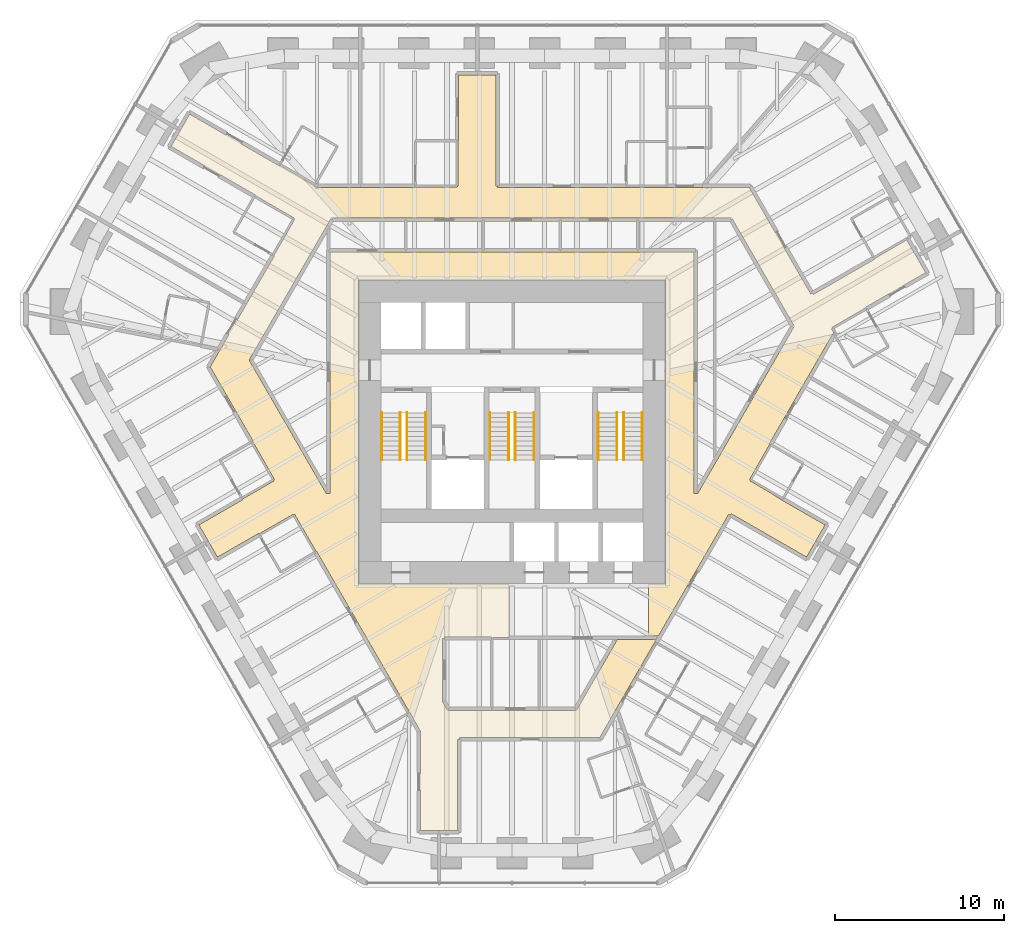
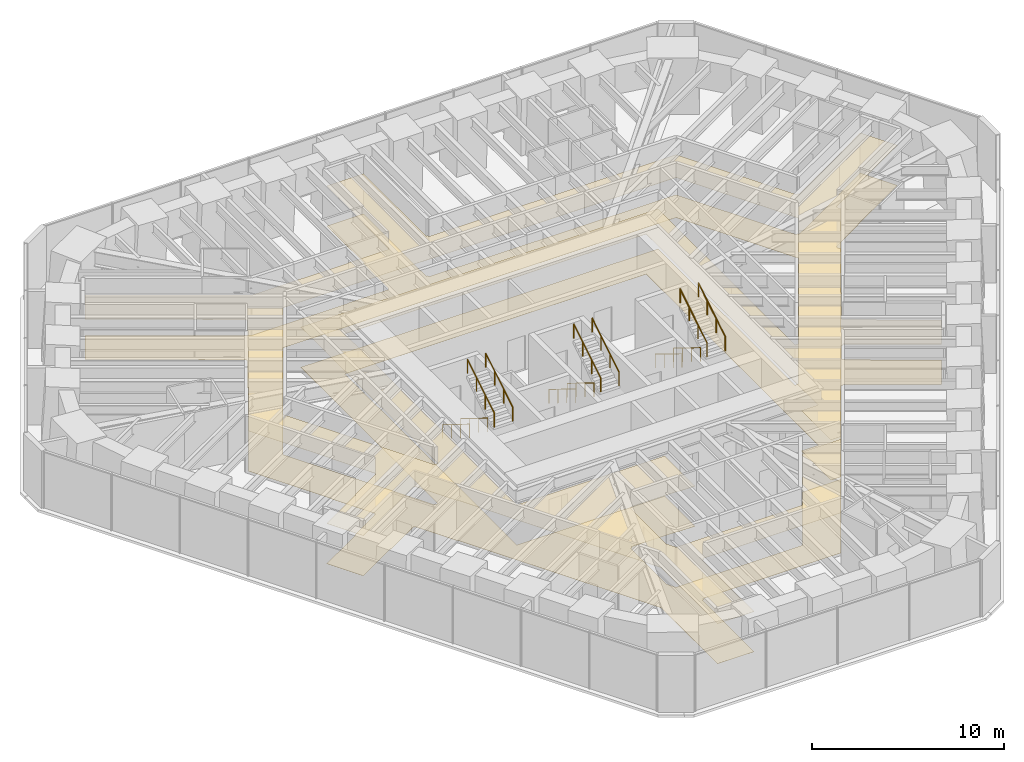
# One storey, part 18 of 18: 12 railings, 2 coverings.
"""IFC4 building model written with IfcOpenShell, lengths in metres."""

from ifc_helpers import new_model, si_unit, direction, frame, origin, origin_2d, place, context, subcontext, project, spatial, polyline, circle, outline, extrude, material, layer, layer_set, type_object, element, save


model = new_model("IFC4")

# Units and contexts
model_context = context("Model", 3, precision=1e-05, world=origin(), true_north=direction((0.0, 1.0)))
body_context = subcontext(model_context, "Body", "Model", "MODEL_VIEW")
ifc_project = project(units=[si_unit("LENGTHUNIT", "METRE"), si_unit("AREAUNIT", "SQUARE_METRE"), si_unit("VOLUMEUNIT", "CUBIC_METRE"), si_unit("PLANEANGLEUNIT", "RADIAN"), si_unit("MASSUNIT", "GRAM", prefix="KILO")], contexts=[model_context])

# Site, building, storey
site_placement = place(None, origin())
site = spatial("IfcSite", under=ifc_project, at=site_placement, CompositionType="ELEMENT")
building_placement = place(site_placement, origin())
building = spatial("IfcBuilding", under=site, at=building_placement, Name="Sandreach Pilgrim Tower", CompositionType="ELEMENT")
storey_placement = place(building_placement, frame((0.0, 0.0, 157.60009765625)))
storey = spatial("IfcBuildingStorey", under=building, at=storey_placement, Name="L39", CompositionType="ELEMENT", Elevation=157.60009765625)

# Coverings
ifc_material_1 = material(Name="Nylon carpet tile on the slab", Category="textile")
ifc_layer_1 = layer(ifc_material_1, 0.008056640625)
ifc_layer_set_1 = layer_set([ifc_layer_1], Name="Carpet tile")
covering_type_1 = type_object("IfcCoveringType", Name="Carpet tile", PredefinedType="FLOORING", material=ifc_layer_set_1)
covering_1_placement = place(storey_placement, origin())
element("IfcCovering", 1, at=covering_1_placement, inside=storey, type_object=covering_type_1, Name="Floor finish 39C Corridor 39", PredefinedType="FLOORING", context=body_context, shape_type="SweptSolid", body=[
    extrude(outline(polyline([(-17.4033203125, -8.943603515625), (-18.50341796875, -7.03662109375), (-15.899658203125, -5.537353515625), (-15.919677734375, -5.502685546875), (-14.06005859375, -4.431884765625), (-14.08935546875, -4.380859375), (-14.0380859375, -4.35009765625), (-15.326416015625, -2.09326171875), (-15.303466796875, -2.080078125), (-17.83447265625, 2.300048828125), (-14.04345703125, 8.85986328125), (-14.070068359375, 8.875244140625), (-12.84814453125, 11.010009765625), (-12.89892578125, 11.041748046875), (-12.8701171875, 11.092041015625), (-14.243408203125, 11.879150390625), (-15.169921875, 12.45654296875), (-20.143310546875, 15.32666015625), (-19.04345703125, 17.2333984375), (-11.516845703125, 12.889892578125), (-5.699951171875, 12.889892578125), (-5.699951171875, 12.918212890625), (-3.25, 12.929931640625), (-3.2490234375, 12.989990234375), (-3.18994140625, 12.989990234375), (-3.18994140625, 15.659912109375), (-3.14990234375, 15.659912109375), (-3.14990234375, 19.5400390625), (-0.949951171875, 19.5400390625), (-0.949951171875, 13.0), (-0.853515625, 13.0), (-0.85009765625, 12.889892578125), (14.022216796875, 12.889892578125), (17.6533203125, 6.60986328125), (17.75048828125, 6.662109375), (17.798583984375, 6.578369140625), (21.430908203125, 8.67138671875), (21.41796875, 8.694091796875), (23.3232421875, 9.80810546875), (24.443359375, 7.86669921875), (20.89013671875, 5.816650390625), (20.90185546875, 5.79638671875), (18.91015625, 4.632080078125), (18.9296875, 4.573974609375), (18.887939453125, 4.55029296875), (19.0087890625, 4.3388671875), (15.203369140625, -2.25), (15.23046875, -2.265625), (14.0380859375, -4.35009765625), (14.088623046875, -4.38232421875), (14.06005859375, -4.431884765625), (15.19091796875, -5.085693359375), (15.960205078125, -5.57666015625), (18.50341796875, -7.036865234375), (17.4033203125, -8.943359375), (12.952880859375, -6.380859375), (12.904541015625, -6.46484375), (12.803466796875, -6.409912109375), (8.6513671875, -13.60009765625), (8.050048828125, -13.60009765625), (8.050048828125, -10.52001953125), (9.070068359375, -10.52001953125), (9.070068359375, 7.419921875), (-9.070068359375, 7.419921875), (-9.070068359375, -10.52001953125), (-0.175048828125, -10.52001953125), (-0.175048828125, -13.68994140625), (-1.199951171875, -13.67919921875), (-1.199951171875, -13.64990234375), (-3.989990234375, -13.64990234375), (-3.989990234375, -13.75), (-4.10009765625, -13.75), (-4.10009765625, -17.487060546875), (-3.8076171875, -17.989990234375), (3.8076171875, -17.989990234375), (6.2265625, -13.800048828125), (8.535888671875, -13.800048828125), (5.192138671875, -19.590087890625), (-3.110107421875, -19.590087890625), (-3.110107421875, -19.705078125), (-3.2099609375, -19.705078125), (-3.2099609375, -25.10009765625), (-5.409912109375, -25.10009765625), (-5.409912109375, -19.223388671875), (-11.54345703125, -8.599853515625), (-11.5693359375, -8.614990234375), (-12.837890625, -6.43017578125), (-12.890625, -6.458984375), (-12.919921875, -6.407958984375), (-14.949951171875, -7.577880859375), (-14.969970703125, -7.543212890625), (-17.4033203125, -8.943603515625)]), holes=[polyline([(-15.525390625, 2.699951171875), (-10.965576171875, -5.18994140625), (-10.75, -5.18994140625), (-10.75, 9.10009765625), (10.75, 9.10009765625), (10.75, -5.18994140625), (10.96533203125, -5.18994140625), (16.675537109375, 4.699951171875), (12.98779296875, 11.090087890625), (-10.677734375, 11.090087890625), (-15.525390625, 2.699951171875)])]), origin(), (0.0, 0.0, 1.0), 0.0078125),
])
ifc_material_2 = material(Name="Gypsum board suspended ceiling on a steel grid", Category="steel")
ifc_layer_2 = layer(ifc_material_2, 0.012939453125)
ifc_layer_set_2 = layer_set([ifc_layer_2], Name="Gypsum board suspended ceiling")
covering_type_2 = type_object("IfcCoveringType", Name="Gypsum board suspended ceiling", PredefinedType="CEILING", material=ifc_layer_set_2)
covering_2_placement = place(storey_placement, frame((0.0, 0.0, 2.5498046875)))
element("IfcCovering", 2, at=covering_2_placement, inside=storey, type_object=covering_type_2, Name="Ceiling 39C Corridor 39", PredefinedType="CEILING", context=body_context, shape_type="SweptSolid", body=[
    extrude(outline(polyline([(-17.4033203125, -8.943603515625), (-18.50341796875, -7.03662109375), (-15.899658203125, -5.537353515625), (-15.919677734375, -5.502685546875), (-14.06005859375, -4.431884765625), (-14.08935546875, -4.380859375), (-14.0380859375, -4.35009765625), (-15.326416015625, -2.09326171875), (-15.303466796875, -2.080078125), (-17.83447265625, 2.300048828125), (-14.04345703125, 8.85986328125), (-14.070068359375, 8.875244140625), (-12.84814453125, 11.010009765625), (-12.89892578125, 11.041748046875), (-12.8701171875, 11.092041015625), (-14.243408203125, 11.879150390625), (-15.169921875, 12.45654296875), (-20.143310546875, 15.32666015625), (-19.04345703125, 17.2333984375), (-11.516845703125, 12.889892578125), (-5.699951171875, 12.889892578125), (-5.699951171875, 12.918212890625), (-3.25, 12.929931640625), (-3.2490234375, 12.989990234375), (-3.18994140625, 12.989990234375), (-3.18994140625, 15.659912109375), (-3.14990234375, 15.659912109375), (-3.14990234375, 19.5400390625), (-0.949951171875, 19.5400390625), (-0.949951171875, 13.0), (-0.853515625, 13.0), (-0.85009765625, 12.889892578125), (14.022216796875, 12.889892578125), (17.6533203125, 6.60986328125), (17.75048828125, 6.662109375), (17.798583984375, 6.578369140625), (21.430908203125, 8.67138671875), (21.41796875, 8.694091796875), (23.3232421875, 9.80810546875), (24.443359375, 7.86669921875), (20.89013671875, 5.816650390625), (20.90185546875, 5.79638671875), (18.91015625, 4.632080078125), (18.9296875, 4.573974609375), (18.887939453125, 4.55029296875), (19.0087890625, 4.3388671875), (15.203369140625, -2.25), (15.23046875, -2.265625), (14.0380859375, -4.35009765625), (14.088623046875, -4.38232421875), (14.06005859375, -4.431884765625), (15.19091796875, -5.085693359375), (15.960205078125, -5.57666015625), (18.50341796875, -7.036865234375), (17.4033203125, -8.943359375), (12.952880859375, -6.380859375), (12.904541015625, -6.46484375), (12.803466796875, -6.409912109375), (8.6513671875, -13.60009765625), (8.050048828125, -13.60009765625), (8.050048828125, -10.52001953125), (9.070068359375, -10.52001953125), (9.070068359375, 7.419921875), (-9.070068359375, 7.419921875), (-9.070068359375, -10.52001953125), (-0.175048828125, -10.52001953125), (-0.175048828125, -13.68994140625), (-1.199951171875, -13.67919921875), (-1.199951171875, -13.64990234375), (-3.989990234375, -13.64990234375), (-3.989990234375, -13.75), (-4.10009765625, -13.75), (-4.10009765625, -17.487060546875), (-3.8076171875, -17.989990234375), (3.8076171875, -17.989990234375), (6.2265625, -13.800048828125), (8.535888671875, -13.800048828125), (5.192138671875, -19.590087890625), (-3.110107421875, -19.590087890625), (-3.110107421875, -19.705078125), (-3.2099609375, -19.705078125), (-3.2099609375, -25.10009765625), (-5.409912109375, -25.10009765625), (-5.409912109375, -19.223388671875), (-11.54345703125, -8.599853515625), (-11.5693359375, -8.614990234375), (-12.837890625, -6.43017578125), (-12.890625, -6.458984375), (-12.919921875, -6.407958984375), (-14.949951171875, -7.577880859375), (-14.969970703125, -7.543212890625), (-17.4033203125, -8.943603515625)]), holes=[polyline([(-15.525390625, 2.699951171875), (-10.965576171875, -5.18994140625), (-10.75, -5.18994140625), (-10.75, 9.10009765625), (10.75, 9.10009765625), (10.75, -5.18994140625), (10.96533203125, -5.18994140625), (16.675537109375, 4.699951171875), (12.98779296875, 11.090087890625), (-10.677734375, 11.090087890625), (-15.525390625, 2.699951171875)])]), origin(), (0.0, 0.0, 1.0), 0.01318359375),
])

# Railings
ifc_material_3 = material(Name="Stainless steel tube", Category="steel")
railing_type = type_object("IfcRailingType", Name="Stair handrail", PredefinedType="HANDRAIL", material=ifc_material_3)
for number, where, name in (
    (3, (-6.60009765625, -0.39990234375, 0.172607421875), "Handrail ST1 L39 flight 1"),
    (4, (-7.699951171875, -0.39990234375, 0.172607421875), "Handrail ST1 L39 flight 1"),
):
    element("IfcRailing", number, at=place(storey_placement, frame(where)), inside=storey, type_object=railing_type, Name=name, PredefinedType="HANDRAIL", context=body_context, shape_type="SweptSolid", body=[
        extrude(circle(Radius=0.02392578125, at=origin_2d()), frame((0.0, 0.0, 0.8759765625), z_axis=(0.0, -0.851089632645, 0.525020415988), x_axis=(1.0, 0.0, 0.0)), (0.0, 0.0, 1.0), 3.2900390625),
        extrude(circle(Radius=0.02099609375, at=origin_2d()), origin(), (0.0, 0.0, 1.0), 0.851806640625),
        extrude(circle(Radius=0.02099609375, at=origin_2d()), frame((0.0, -0.933349609375, 0.57568359375)), (0.0, 0.0, 1.0), 0.851806640625),
        extrude(circle(Radius=0.02099609375, at=origin_2d()), frame((0.0, -1.86669921875, 1.151611328125)), (0.0, 0.0, 1.0), 0.851806640625),
        extrude(circle(Radius=0.02099609375, at=origin_2d()), frame((0.0, -2.800048828125, 1.727294921875)), (0.0, 0.0, 1.0), 0.851806640625),
    ])
for number, where, name in (
    (5, (-6.199951171875, -3.199951171875, 2.072509765625), "Handrail ST1 L39 flight 2"),
    (6, (-5.10009765625, -3.199951171875, 2.072509765625), "Handrail ST1 L39 flight 2"),
):
    element("IfcRailing", number, at=place(storey_placement, frame(where)), inside=storey, type_object=railing_type, Name=name, PredefinedType="HANDRAIL", context=body_context, shape_type="SweptSolid", body=[
        extrude(circle(Radius=0.02392578125, at=origin_2d()), frame((0.0, 0.0, 0.8759765625), z_axis=(0.0, 0.851089632645, 0.525020415988), x_axis=(-1.0, 0.0, 0.0)), (0.0, 0.0, 1.0), 3.2900390625),
        extrude(circle(Radius=0.02099609375, at=origin_2d()), origin(), (0.0, 0.0, 1.0), 0.851806640625),
        extrude(circle(Radius=0.02099609375, at=origin_2d()), frame((0.0, 0.933349609375, 0.57568359375)), (0.0, 0.0, 1.0), 0.851806640625),
        extrude(circle(Radius=0.02099609375, at=origin_2d()), frame((0.0, 1.86669921875, 1.151611328125)), (0.0, 0.0, 1.0), 0.851806640625),
        extrude(circle(Radius=0.02099609375, at=origin_2d()), frame((0.0, 2.800048828125, 1.727294921875)), (0.0, 0.0, 1.0), 0.851806640625),
    ])
for number, where, name in (
    (7, (-0.199951171875, -0.39990234375, 0.172607421875), "Handrail ST3 L39 flight 1"),
    (8, (-1.300048828125, -0.39990234375, 0.172607421875), "Handrail ST3 L39 flight 1"),
):
    element("IfcRailing", number, at=place(storey_placement, frame(where)), inside=storey, type_object=railing_type, Name=name, PredefinedType="HANDRAIL", context=body_context, shape_type="SweptSolid", body=[
        extrude(circle(Radius=0.02392578125, at=origin_2d()), frame((0.0, 0.0, 0.8759765625), z_axis=(0.0, -0.851089632645, 0.525020415988), x_axis=(1.0, 0.0, 0.0)), (0.0, 0.0, 1.0), 3.2900390625),
        extrude(circle(Radius=0.02099609375, at=origin_2d()), origin(), (0.0, 0.0, 1.0), 0.851806640625),
        extrude(circle(Radius=0.02099609375, at=origin_2d()), frame((0.0, -0.933349609375, 0.57568359375)), (0.0, 0.0, 1.0), 0.851806640625),
        extrude(circle(Radius=0.02099609375, at=origin_2d()), frame((0.0, -1.86669921875, 1.151611328125)), (0.0, 0.0, 1.0), 0.851806640625),
        extrude(circle(Radius=0.02099609375, at=origin_2d()), frame((0.0, -2.800048828125, 1.727294921875)), (0.0, 0.0, 1.0), 0.851806640625),
    ])
for number, where, name in (
    (9, (0.199951171875, -3.199951171875, 2.072509765625), "Handrail ST3 L39 flight 2"),
    (10, (1.300048828125, -3.199951171875, 2.072509765625), "Handrail ST3 L39 flight 2"),
):
    element("IfcRailing", number, at=place(storey_placement, frame(where)), inside=storey, type_object=railing_type, Name=name, PredefinedType="HANDRAIL", context=body_context, shape_type="SweptSolid", body=[
        extrude(circle(Radius=0.02392578125, at=origin_2d()), frame((0.0, 0.0, 0.8759765625), z_axis=(0.0, 0.851089632645, 0.525020415988), x_axis=(-1.0, 0.0, 0.0)), (0.0, 0.0, 1.0), 3.2900390625),
        extrude(circle(Radius=0.02099609375, at=origin_2d()), origin(), (0.0, 0.0, 1.0), 0.851806640625),
        extrude(circle(Radius=0.02099609375, at=origin_2d()), frame((0.0, 0.933349609375, 0.57568359375)), (0.0, 0.0, 1.0), 0.851806640625),
        extrude(circle(Radius=0.02099609375, at=origin_2d()), frame((0.0, 1.86669921875, 1.151611328125)), (0.0, 0.0, 1.0), 0.851806640625),
        extrude(circle(Radius=0.02099609375, at=origin_2d()), frame((0.0, 2.800048828125, 1.727294921875)), (0.0, 0.0, 1.0), 0.851806640625),
    ])
for number, where, name in (
    (11, (6.199951171875, -0.39990234375, 0.172607421875), "Handrail ST2 L39 flight 1"),
    (12, (5.10009765625, -0.39990234375, 0.172607421875), "Handrail ST2 L39 flight 1"),
):
    element("IfcRailing", number, at=place(storey_placement, frame(where)), inside=storey, type_object=railing_type, Name=name, PredefinedType="HANDRAIL", context=body_context, shape_type="SweptSolid", body=[
        extrude(circle(Radius=0.02392578125, at=origin_2d()), frame((0.0, 0.0, 0.8759765625), z_axis=(0.0, -0.851089632645, 0.525020415988), x_axis=(1.0, 0.0, 0.0)), (0.0, 0.0, 1.0), 3.2900390625),
        extrude(circle(Radius=0.02099609375, at=origin_2d()), origin(), (0.0, 0.0, 1.0), 0.851806640625),
        extrude(circle(Radius=0.02099609375, at=origin_2d()), frame((0.0, -0.933349609375, 0.57568359375)), (0.0, 0.0, 1.0), 0.851806640625),
        extrude(circle(Radius=0.02099609375, at=origin_2d()), frame((0.0, -1.86669921875, 1.151611328125)), (0.0, 0.0, 1.0), 0.851806640625),
        extrude(circle(Radius=0.02099609375, at=origin_2d()), frame((0.0, -2.800048828125, 1.727294921875)), (0.0, 0.0, 1.0), 0.851806640625),
    ])
for number, where, name in (
    (13, (6.60009765625, -3.199951171875, 2.072509765625), "Handrail ST2 L39 flight 2"),
    (14, (7.699951171875, -3.199951171875, 2.072509765625), "Handrail ST2 L39 flight 2"),
):
    element("IfcRailing", number, at=place(storey_placement, frame(where)), inside=storey, type_object=railing_type, Name=name, PredefinedType="HANDRAIL", context=body_context, shape_type="SweptSolid", body=[
        extrude(circle(Radius=0.02392578125, at=origin_2d()), frame((0.0, 0.0, 0.8759765625), z_axis=(0.0, 0.851089632645, 0.525020415988), x_axis=(-1.0, 0.0, 0.0)), (0.0, 0.0, 1.0), 3.2900390625),
        extrude(circle(Radius=0.02099609375, at=origin_2d()), origin(), (0.0, 0.0, 1.0), 0.851806640625),
        extrude(circle(Radius=0.02099609375, at=origin_2d()), frame((0.0, 0.933349609375, 0.57568359375)), (0.0, 0.0, 1.0), 0.851806640625),
        extrude(circle(Radius=0.02099609375, at=origin_2d()), frame((0.0, 1.86669921875, 1.151611328125)), (0.0, 0.0, 1.0), 0.851806640625),
        extrude(circle(Radius=0.02099609375, at=origin_2d()), frame((0.0, 2.800048828125, 1.727294921875)), (0.0, 0.0, 1.0), 0.851806640625),
    ])

save(model, "model.ifc")
